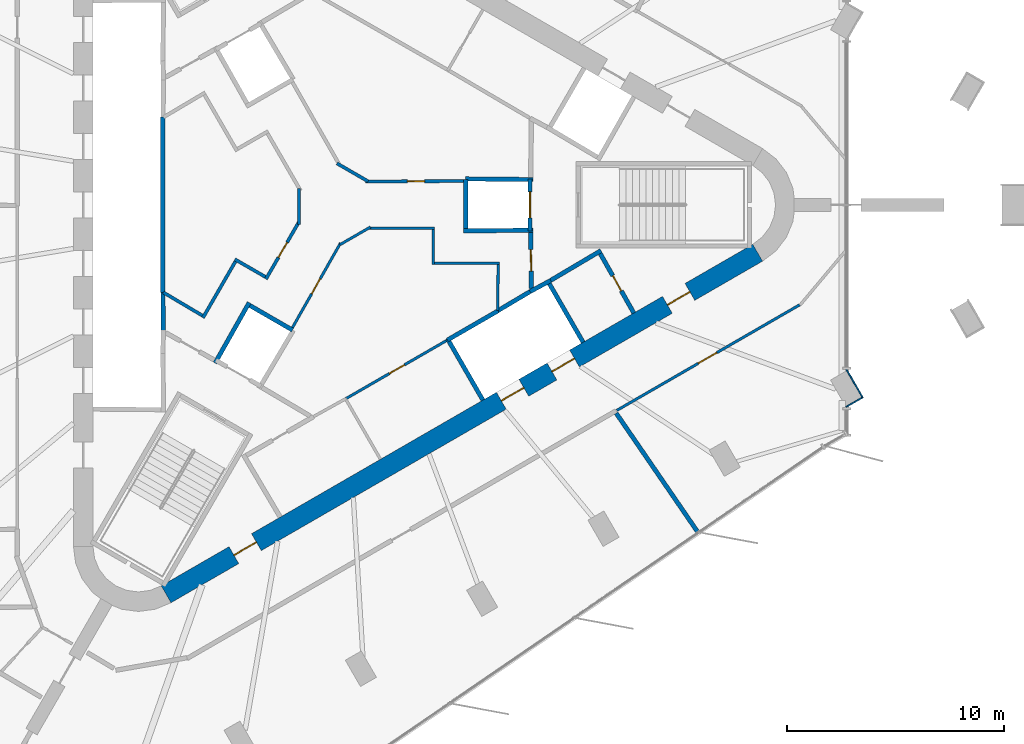
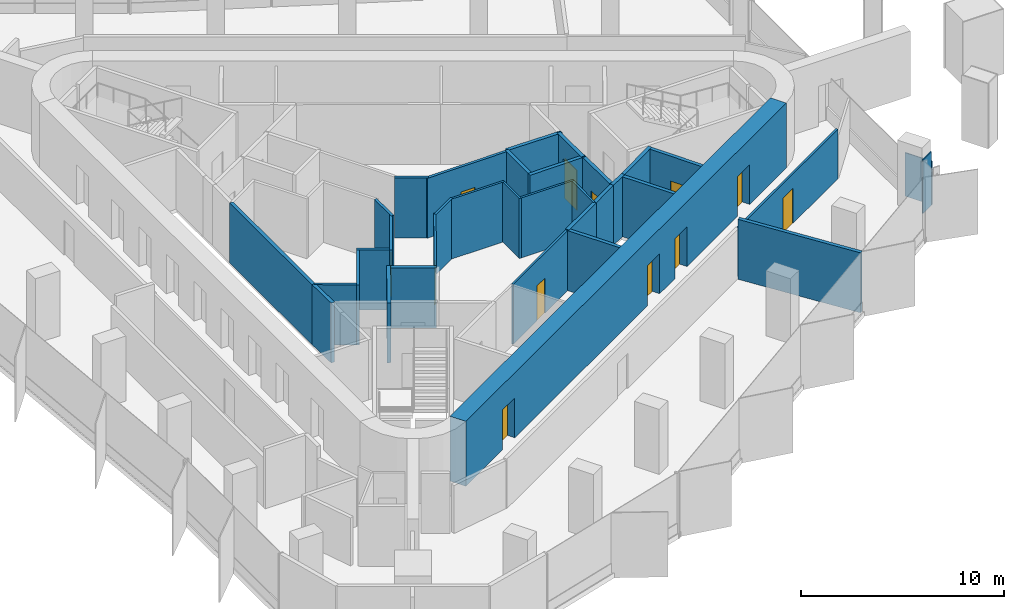
# One storey, part 8 of 12: 35 walls, 12 doors, 12 openings.
"""IFC4 building model written with IfcOpenShell, lengths in metres."""

from ifc_helpers import new_model, si_unit, direction, frame, frame_2d, origin, place, context, subcontext, project, spatial, rectangle, extrude, material, layer, layer_set, type_object, element, fill, save


model = new_model("IFC4")

# Units and contexts
model_context = context("Model", 3, precision=1e-05, world=origin(), true_north=direction((0.0, 1.0)))
body_context = subcontext(model_context, "Body", "Model", "MODEL_VIEW")
ifc_project = project(units=[si_unit("LENGTHUNIT", "METRE"), si_unit("AREAUNIT", "SQUARE_METRE"), si_unit("VOLUMEUNIT", "CUBIC_METRE"), si_unit("PLANEANGLEUNIT", "RADIAN"), si_unit("MASSUNIT", "GRAM", prefix="KILO")], contexts=[model_context])

# Site, building, storey
site_placement = place(None, origin())
site = spatial("IfcSite", under=ifc_project, at=site_placement, CompositionType="ELEMENT")
building_placement = place(site_placement, origin())
building = spatial("IfcBuilding", under=site, at=building_placement, Name="Tanit Gate Tower", CompositionType="ELEMENT")
storey_placement = place(building_placement, frame((0.0, 0.0, 368.89990234375)))
storey = spatial("IfcBuildingStorey", under=building, at=storey_placement, Name="L84", CompositionType="ELEMENT", Elevation=368.89990234375)

# Wall, openings, doors
ifc_material_1 = material(Name="Concrete C40/50", Category="concrete")
ifc_layer_1 = layer(ifc_material_1, 0.89990234375)
ifc_layer_set_1 = layer_set([ifc_layer_1], Name="CORE WALL 900 C40/50")
wall_type_1 = type_object("IfcWallType", Name="CORE WALL 900 C40/50", PredefinedType="SHEAR", material=ifc_layer_set_1)
wall_1_placement = place(storey_placement, frame((-7.824951171875, -17.969970703125, 0.0), z_axis=(0.0, 0.0, 1.0), x_axis=(0.866028369851, 0.499994862586, 0.0)))
wall_1 = element("IfcWall", 1, at=wall_1_placement, inside=storey, type_object=wall_type_1, Name="CORE WALL", PredefinedType="SHEAR", context=body_context, shape_type="SweptSolid", body=[
    extrude(rectangle(XDim=31.523193359375, YDim=0.89990234375, at=frame_2d((15.76171875, 0.0))), origin(), (0.0, 0.0, 1.0), 3.900146484375),
])
opening_1_placement = place(wall_1_placement, frame((17.861572265625, 0.0, 0.0)))
opening_1 = element("IfcOpeningElement", 2, at=opening_1_placement, cuts=wall_1, Name="Opening LDSV1-84", PredefinedType="OPENING", context=body_context, shape_type="SweptSolid", body=[
    extrude(rectangle(XDim=1.199951171875, YDim=2.39990234375, at=frame_2d((0.60009765625, 1.199951171875))), frame((0.0, 0.4599609375, 0.0), z_axis=(0.0, -1.0, 0.0), x_axis=(1.0, 0.0, 0.0)), (0.0, 0.0, 1.0), 0.919921875),
])
opening_2_placement = place(wall_1_placement, frame((20.561767578125, 0.0, 0.0)))
opening_2 = element("IfcOpeningElement", 3, at=opening_2_placement, cuts=wall_1, Name="Opening LDSV2-84", PredefinedType="OPENING", context=body_context, shape_type="SweptSolid", body=[
    extrude(rectangle(XDim=1.199951171875, YDim=2.39990234375, at=frame_2d((0.60009765625, 1.199951171875))), frame((0.0, 0.4599609375, 0.0), z_axis=(0.0, -1.0, 0.0), x_axis=(1.0, 0.0, 0.0)), (0.0, 0.0, 1.0), 0.919921875),
])
opening_3_placement = place(wall_1_placement, frame((26.711669921875, 0.0, 0.0)))
opening_3 = element("IfcOpeningElement", 4, at=opening_3_placement, cuts=wall_1, Name="Opening F12-84-S1", PredefinedType="OPENING", context=body_context, shape_type="SweptSolid", body=[
    extrude(rectangle(XDim=1.199951171875, YDim=2.39990234375, at=frame_2d((0.60009765625, 1.199951171875))), frame((0.0, 0.4599609375, 0.0), z_axis=(0.0, -1.0, 0.0), x_axis=(1.0, 0.0, 0.0)), (0.0, 0.0, 1.0), 0.919921875),
])
opening_4_placement = place(wall_1_placement, frame((3.611572265625, 0.0, 0.0)))
opening_4 = element("IfcOpeningElement", 5, at=opening_4_placement, cuts=wall_1, Name="Opening F12-84-FL3", PredefinedType="OPENING", context=body_context, shape_type="SweptSolid", body=[
    extrude(rectangle(XDim=1.199951171875, YDim=2.39990234375, at=frame_2d((0.60009765625, 1.199951171875))), frame((0.0, 0.4599609375, 0.0), z_axis=(0.0, -1.0, 0.0), x_axis=(1.0, 0.0, 0.0)), (0.0, 0.0, 1.0), 0.919921875),
])
ifc_material_2 = material(Name="Fire-rated steel door leaf", Category="steel")
door_type_1 = type_object("IfcDoorType", Name="INT-DOOR-FIRE-LOBBY-1200", OperationType="NOTDEFINED", PredefinedType="USERDEFINED", material=ifc_material_2)
door_1_placement = place(opening_3_placement, origin())
door_1 = element("IfcDoor", 6, at=door_1_placement, inside=storey, type_object=door_type_1, Name="Door F12-84-S1", ObjectType="FIRE DOOR", OperationType="SINGLE_SWING_LEFT", OverallHeight=2.39990234375, OverallWidth=1.199951171875, PredefinedType="USERDEFINED", context=body_context, shape_type="SweptSolid", body=[
    extrude(rectangle(XDim=1.199951171875, YDim=2.39990234375, at=frame_2d((0.60009765625, 1.199951171875))), frame((0.0, 0.02490234375, 0.0), z_axis=(0.0, -1.0, 0.0), x_axis=(1.0, 0.0, 0.0)), (0.0, 0.0, 1.0), 0.050048828125),
])
fill(opening_3, door_1)
door_2_placement = place(opening_4_placement, origin())
door_2 = element("IfcDoor", 7, at=door_2_placement, inside=storey, type_object=door_type_1, Name="Door F12-84-FL3", ObjectType="FIRE DOOR", OperationType="SINGLE_SWING_RIGHT", OverallHeight=2.39990234375, OverallWidth=1.199951171875, PredefinedType="USERDEFINED", context=body_context, shape_type="SweptSolid", body=[
    extrude(rectangle(XDim=1.199951171875, YDim=2.39990234375, at=frame_2d((0.60009765625, 1.199951171875))), frame((0.0, 0.02490234375, 0.0), z_axis=(0.0, -1.0, 0.0), x_axis=(1.0, 0.0, 0.0)), (0.0, 0.0, 1.0), 0.050048828125),
])
fill(opening_4, door_2)
ifc_material_3 = material(Name="Stainless steel sliding door leaf", Category="steel")
door_type_2 = type_object("IfcDoorType", Name="INT-DOOR-LANDING-1200", OperationType="NOTDEFINED", PredefinedType="USERDEFINED", material=ifc_material_3)
door_3_placement = place(opening_1_placement, origin())
door_3 = element("IfcDoor", 8, at=door_3_placement, inside=storey, type_object=door_type_2, Name="Door LDSV1-84", ObjectType="LANDING DOOR", OperationType="SLIDING_TO_LEFT", OverallHeight=2.39990234375, OverallWidth=1.199951171875, PredefinedType="USERDEFINED", context=body_context, shape_type="SweptSolid", body=[
    extrude(rectangle(XDim=1.199951171875, YDim=2.39990234375, at=frame_2d((0.60009765625, 1.199951171875))), frame((0.0, 0.02490234375, 0.0), z_axis=(0.0, -1.0, 0.0), x_axis=(1.0, 0.0, 0.0)), (0.0, 0.0, 1.0), 0.050048828125),
])
fill(opening_1, door_3)
door_4_placement = place(opening_2_placement, origin())
door_4 = element("IfcDoor", 9, at=door_4_placement, inside=storey, type_object=door_type_2, Name="Door LDSV2-84", ObjectType="LANDING DOOR", OperationType="SLIDING_TO_LEFT", OverallHeight=2.39990234375, OverallWidth=1.199951171875, PredefinedType="USERDEFINED", context=body_context, shape_type="SweptSolid", body=[
    extrude(rectangle(XDim=1.199951171875, YDim=2.39990234375, at=frame_2d((0.60009765625, 1.199951171875))), frame((0.0, 0.02490234375, 0.0), z_axis=(0.0, -1.0, 0.0), x_axis=(1.0, 0.0, 0.0)), (0.0, 0.0, 1.0), 0.050048828125),
])
fill(opening_2, door_4)

# Walls
ifc_material_4 = material(Name="Bronze anodised aluminium cladding", Category="aluminium")
ifc_layer_2 = layer(ifc_material_4, 0.06005859375)
ifc_layer_set_2 = layer_set([ifc_layer_2], Name="Column casing bronze 60")
wall_type_2 = type_object("IfcWallType", Name="Column casing bronze 60", PredefinedType="SOLIDWALL", material=ifc_layer_set_2)
wall_2_placement = place(storey_placement, frame((23.568603515625, -7.5927734375, 0.0), z_axis=(0.0, 0.0, 1.0), x_axis=(0.499991248344, -0.866030456496, 0.0)))
element("IfcWall", 10, at=wall_2_placement, inside=storey, type_object=wall_type_2, Name="Column casing L84 P-SE7.L1", PredefinedType="SOLIDWALL", context=body_context, shape_type="SweptSolid", body=[
    extrude(rectangle(XDim=1.52001953125, YDim=0.06005859375, at=frame_2d((0.760009765625, 0.0))), origin(), (0.0, 0.0, 1.0), 2.610107421875),
])
wall_3_placement = place(storey_placement, frame((23.551513671875, -9.3232421875, 0.0), z_axis=(0.0, 0.0, 1.0), x_axis=(0.866061263272, 0.499937884402, 0.0)))
element("IfcWall", 11, at=wall_3_placement, inside=storey, type_object=wall_type_2, Name="Column casing L84 P-SE7.S1", PredefinedType="SOLIDWALL", context=body_context, shape_type="SweptSolid", body=[
    extrude(rectangle(XDim=0.85009765625, YDim=0.06005859375, at=frame_2d((0.425048828125, 0.0))), origin(), (0.0, 0.0, 1.0), 3.210205078125),
])
ifc_material_5 = material(Name="Fire-rated gypsum board partition")
ifc_layer_3 = layer(ifc_material_5, 0.199951171875)
ifc_layer_set_3 = layer_set([ifc_layer_3], Name="INT-WALL-COMPARTMENT")
wall_type_3 = type_object("IfcWallType", Name="INT-WALL-COMPARTMENT", PredefinedType="PARTITIONING", material=ifc_layer_set_3)
wall_4_placement = place(storey_placement, frame((12.244873046875, -2.10888671875, 0.0), z_axis=(0.0, 0.0, 1.0), x_axis=(-0.860414880418, -0.509594185166, 0.0)))
element("IfcWall", 12, at=wall_4_placement, inside=storey, type_object=wall_type_3, Name="Wall Compartment W060", PredefinedType="PARTITIONING", context=body_context, shape_type="SweptSolid", body=[
    extrude(rectangle(XDim=2.7001953125, YDim=0.199951171875, at=frame_2d((1.35009765625, 0.0))), origin(), (0.0, 0.0, 1.0), 3.60009765625),
])

# Wall, opening, door
wall_5_placement = place(storey_placement, frame((13.758056640625, -4.989501953125, 0.0), z_axis=(0.0, 0.0, 1.0), x_axis=(-0.491993409184, 0.87059892334, 0.0)))
wall_5 = element("IfcWall", 13, at=wall_5_placement, inside=storey, type_object=wall_type_3, Name="Wall Compartment W061", PredefinedType="PARTITIONING", context=body_context, shape_type="SweptSolid", body=[
    extrude(rectangle(XDim=3.150146484375, YDim=0.199951171875, at=frame_2d((1.5751953125, 0.0))), origin(), (0.0, 0.0, 1.0), 3.60009765625),
])
opening_5_placement = place(wall_5_placement, frame((1.175048828125, 0.0, 0.0)))
opening_5 = element("IfcOpeningElement", 14, at=opening_5_placement, cuts=wall_5, Name="Opening R08-84-18", PredefinedType="OPENING", context=body_context, shape_type="SweptSolid", body=[
    extrude(rectangle(XDim=0.800048828125, YDim=2.10009765625, at=frame_2d((0.39990234375, 1.050048828125))), frame((0.0, 0.10986328125, 0.0), z_axis=(0.0, -1.0, 0.0), x_axis=(1.0, 0.0, 0.0)), (0.0, 0.0, 1.0), 0.219970703125),
])
ifc_material_6 = material(Name="Timber door leaf", Category="wood")
door_type_3 = type_object("IfcDoorType", Name="INT-DOOR-RISER-800", OperationType="NOTDEFINED", PredefinedType="USERDEFINED", material=ifc_material_6)
door_5_placement = place(opening_5_placement, origin())
door_5 = element("IfcDoor", 15, at=door_5_placement, inside=storey, type_object=door_type_3, Name="Door R08-84-18", ObjectType="FIRE DOOR", OperationType="SINGLE_SWING_LEFT", OverallHeight=2.10009765625, OverallWidth=0.800048828125, PredefinedType="USERDEFINED", context=body_context, shape_type="SweptSolid", body=[
    extrude(rectangle(XDim=0.800048828125, YDim=2.10009765625, at=frame_2d((0.39990234375, 1.050048828125))), frame((0.0, 0.02490234375, 0.0), z_axis=(0.0, -1.0, 0.0), x_axis=(1.0, 0.0, 0.0)), (0.0, 0.0, 1.0), 0.050048828125),
])
fill(opening_5, door_5)

wall_6_placement = place(storey_placement, frame((9.02880859375, -3.850830078125, 0.0), z_axis=(0.0, 0.0, 1.0), x_axis=(-0.010783593937, 0.99994185536, 0.0)))
wall_6 = element("IfcWall", 16, at=wall_6_placement, inside=storey, type_object=wall_type_3, Name="Wall Compartment W063", PredefinedType="PARTITIONING", context=body_context, shape_type="SweptSolid", body=[
    extrude(rectangle(XDim=2.5810546875, YDim=0.199951171875, at=frame_2d((1.29052734375, 0.0))), origin(), (0.0, 0.0, 1.0), 3.60009765625),
])
opening_6_placement = place(wall_6_placement, frame((0.79052734375, 0.0, 0.0)))
opening_6 = element("IfcOpeningElement", 17, at=opening_6_placement, cuts=wall_6, Name="Opening F10-84-02", PredefinedType="OPENING", context=body_context, shape_type="SweptSolid", body=[
    extrude(rectangle(XDim=1.0, YDim=2.10009765625, at=frame_2d((0.5, 1.050048828125))), frame((0.0, 0.10986328125, 0.0), z_axis=(0.0, -1.0, 0.0), x_axis=(1.0, 0.0, 0.0)), (0.0, 0.0, 1.0), 0.219970703125),
])
ifc_material_7 = material(Name="Fire-rated steel door leaf", Category="steel")
door_type_4 = type_object("IfcDoorType", Name="INT-DOOR-FIRE-1000", OperationType="NOTDEFINED", PredefinedType="USERDEFINED", material=ifc_material_7)
door_6_placement = place(opening_6_placement, origin())
door_6 = element("IfcDoor", 18, at=door_6_placement, inside=storey, type_object=door_type_4, Name="Door F10-84-02", ObjectType="FIRE DOOR", OperationType="SINGLE_SWING_RIGHT", OverallHeight=2.10009765625, OverallWidth=1.0, PredefinedType="USERDEFINED", context=body_context, shape_type="SweptSolid", body=[
    extrude(rectangle(XDim=1.0, YDim=2.10009765625, at=frame_2d((0.5, 1.050048828125))), frame((0.0, 0.02490234375, 0.0), z_axis=(0.0, -1.0, 0.0), x_axis=(1.0, 0.0, 0.0)), (0.0, 0.0, 1.0), 0.050048828125),
])
fill(opening_6, door_6)

# Wall
wall_7_placement = place(storey_placement, frame((16.726318359375, -15.122802734375, 0.0), z_axis=(0.0, 0.0, 1.0), x_axis=(-0.565749931425, 0.824576870336, 0.0)))
element("IfcWall", 19, at=wall_7_placement, inside=storey, type_object=wall_type_3, Name="Wall Compartment W118", PredefinedType="PARTITIONING", context=body_context, shape_type="SweptSolid", body=[
    extrude(rectangle(XDim=6.68017578125, YDim=0.199951171875, at=frame_2d((3.340087890625, 0.0))), origin(), (0.0, 0.0, 1.0), 3.60009765625),
])

# Wall, opening, door
ifc_material_8 = material(Name="Gypsum board partition")
ifc_layer_4 = layer(ifc_material_8, 0.1201171875)
ifc_layer_set_4 = layer_set([ifc_layer_4], Name="INT-WALL-PARTITION")
wall_type_4 = type_object("IfcWallType", Name="INT-WALL-PARTITION", PredefinedType="PARTITIONING", material=ifc_layer_set_4)
wall_8_placement = place(storey_placement, frame((0.482666015625, -8.935791015625, 0.0), z_axis=(0.0, 0.0, 1.0), x_axis=(0.866028230842, 0.499995103361, 0.0)))
wall_8 = element("IfcWall", 20, at=wall_8_placement, inside=storey, type_object=wall_type_4, Name="Wall Partition W059", PredefinedType="PARTITIONING", context=body_context, shape_type="SweptSolid", body=[
    extrude(rectangle(XDim=5.39990234375, YDim=0.1201171875, at=frame_2d((2.699951171875, 0.0))), origin(), (0.0, 0.0, 1.0), 3.60009765625),
])
opening_7_placement = place(wall_8_placement, frame((2.300048828125, 0.0, 0.0)))
opening_7 = element("IfcOpeningElement", 21, at=opening_7_placement, cuts=wall_8, Name="Opening R08-84-17", PredefinedType="OPENING", context=body_context, shape_type="SweptSolid", body=[
    extrude(rectangle(XDim=0.800048828125, YDim=2.10009765625, at=frame_2d((0.39990234375, 1.050048828125))), frame((0.0, 0.070068359375, 0.0), z_axis=(0.0, -1.0, 0.0), x_axis=(1.0, 0.0, 0.0)), (0.0, 0.0, 1.0), 0.14013671875),
])
door_7_placement = place(opening_7_placement, origin())
door_7 = element("IfcDoor", 22, at=door_7_placement, inside=storey, type_object=door_type_3, Name="Door R08-84-17", ObjectType="FIRE DOOR", OperationType="SINGLE_SWING_LEFT", OverallHeight=2.10009765625, OverallWidth=0.800048828125, PredefinedType="USERDEFINED", context=body_context, shape_type="SweptSolid", body=[
    extrude(rectangle(XDim=0.800048828125, YDim=2.10009765625, at=frame_2d((0.39990234375, 1.050048828125))), frame((0.0, 0.02490234375, 0.0), z_axis=(0.0, -1.0, 0.0), x_axis=(1.0, 0.0, 0.0)), (0.0, 0.0, 1.0), 0.050048828125),
])
fill(opening_7, door_7)

wall_9_placement = place(storey_placement, frame((0.223876953125, -1.760986328125, 0.0), z_axis=(0.0, 0.0, 1.0), x_axis=(-0.494327216836, -0.869275907118, 0.0)))
wall_9 = element("IfcWall", 23, at=wall_9_placement, inside=storey, type_object=wall_type_4, Name="Wall Partition W071", PredefinedType="PARTITIONING", context=body_context, shape_type="SweptSolid", body=[
    extrude(rectangle(XDim=4.487060546875, YDim=0.1201171875, at=frame_2d((2.24365234375, 0.0))), origin(), (0.0, 0.0, 1.0), 3.60009765625),
])
opening_8_placement = place(wall_9_placement, frame((1.89453125, 0.0, 0.0)))
opening_8 = element("IfcOpeningElement", 24, at=opening_8_placement, cuts=wall_9, Name="Opening R08-84-11", PredefinedType="OPENING", context=body_context, shape_type="SweptSolid", body=[
    extrude(rectangle(XDim=0.800048828125, YDim=2.10009765625, at=frame_2d((0.39990234375, 1.050048828125))), frame((0.0, 0.070068359375, 0.0), z_axis=(0.0, -1.0, 0.0), x_axis=(1.0, 0.0, 0.0)), (0.0, 0.0, 1.0), 0.14013671875),
])
door_8_placement = place(opening_8_placement, origin())
door_8 = element("IfcDoor", 25, at=door_8_placement, inside=storey, type_object=door_type_3, Name="Door R08-84-11", ObjectType="FIRE DOOR", OperationType="SINGLE_SWING_RIGHT", OverallHeight=2.10009765625, OverallWidth=0.800048828125, PredefinedType="USERDEFINED", context=body_context, shape_type="SweptSolid", body=[
    extrude(rectangle(XDim=0.800048828125, YDim=2.10009765625, at=frame_2d((0.39990234375, 1.050048828125))), frame((0.0, 0.02490234375, 0.0), z_axis=(0.0, -1.0, 0.0), x_axis=(1.0, 0.0, 0.0)), (0.0, 0.0, 1.0), 0.050048828125),
])
fill(opening_8, door_8)

# Walls
wall_10_placement = place(storey_placement, frame((1.60546875, -1.02294921875, 0.0), z_axis=(0.0, 0.0, 1.0), x_axis=(-0.866001581989, -0.50004125829, 0.0)))
element("IfcWall", 26, at=wall_10_placement, inside=storey, type_object=wall_type_4, Name="Wall Partition W072", PredefinedType="PARTITIONING", context=body_context, shape_type="SweptSolid", body=[
    extrude(rectangle(XDim=1.635009765625, YDim=0.1201171875, at=frame_2d((0.8173828125, 0.0))), origin(), (0.0, 0.0, 1.0), 3.60009765625),
])
wall_11_placement = place(storey_placement, frame((4.56005859375, -1.074951171875, 0.0), z_axis=(0.0, 0.0, 1.0), x_axis=(-1.0, 0.0, 0.0)))
element("IfcWall", 27, at=wall_11_placement, inside=storey, type_object=wall_type_4, Name="Wall Partition W073", PredefinedType="PARTITIONING", context=body_context, shape_type="SweptSolid", body=[
    extrude(rectangle(XDim=3.02587890625, YDim=0.1201171875, at=frame_2d((1.512939453125, 0.0))), origin(), (0.0, 0.0, 1.0), 3.60009765625),
])
wall_12_placement = place(storey_placement, frame((4.5, -2.760009765625, 0.0), z_axis=(0.0, 0.0, 1.0), x_axis=(0.0, 1.0, 0.0)))
element("IfcWall", 28, at=wall_12_placement, inside=storey, type_object=wall_type_4, Name="Wall Partition W074", PredefinedType="PARTITIONING", context=body_context, shape_type="SweptSolid", body=[
    extrude(rectangle(XDim=1.625, YDim=0.1201171875, at=frame_2d((0.8125, 0.0))), origin(), (0.0, 0.0, 1.0), 3.60009765625),
])
wall_13_placement = place(storey_placement, frame((7.56005859375, -2.699951171875, 0.0), z_axis=(0.0, 0.0, 1.0), x_axis=(-1.0, 0.0, 0.0)))
element("IfcWall", 29, at=wall_13_placement, inside=storey, type_object=wall_type_4, Name="Wall Partition W075", PredefinedType="PARTITIONING", context=body_context, shape_type="SweptSolid", body=[
    extrude(rectangle(XDim=3.0, YDim=0.1201171875, at=frame_2d((1.5, 0.0))), origin(), (0.0, 0.0, 1.0), 3.60009765625),
])
wall_14_placement = place(storey_placement, frame((7.474609375, -4.864501953125, 0.0), z_axis=(0.0, 0.0, 1.0), x_axis=(0.011716133148, 0.999931363757, 0.0)))
element("IfcWall", 30, at=wall_14_placement, inside=storey, type_object=wall_type_4, Name="Wall Partition W076", PredefinedType="PARTITIONING", context=body_context, shape_type="SweptSolid", body=[
    extrude(rectangle(XDim=2.104736328125, YDim=0.1201171875, at=frame_2d((1.05224609375, 0.0))), origin(), (0.0, 0.0, 1.0), 3.60009765625),
])

# Wall, opening, door
wall_15_placement = place(storey_placement, frame((12.97705078125, -9.481689453125, 0.0), z_axis=(0.0, 0.0, 1.0), x_axis=(0.866030756363, 0.499990728947, 0.0)))
wall_15 = element("IfcWall", 31, at=wall_15_placement, inside=storey, type_object=wall_type_4, Name="Wall Partition W117", PredefinedType="PARTITIONING", context=body_context, shape_type="SweptSolid", body=[
    extrude(rectangle(XDim=9.741943359375, YDim=0.1201171875, at=frame_2d((4.87109375, 0.0))), origin(), (0.0, 0.0, 1.0), 2.97021484375),
])
opening_9_placement = place(wall_15_placement, frame((4.33203125, 0.0, 0.0)))
opening_9 = element("IfcOpeningElement", 32, at=opening_9_placement, cuts=wall_15, Name="Opening D10-84-25", PredefinedType="OPENING", context=body_context, shape_type="SweptSolid", body=[
    extrude(rectangle(XDim=1.0, YDim=2.10009765625, at=frame_2d((0.5, 1.050048828125))), frame((0.0, 0.070068359375, 0.0), z_axis=(0.0, -1.0, 0.0), x_axis=(1.0, 0.0, 0.0)), (0.0, 0.0, 1.0), 0.14013671875),
])
ifc_material_9 = material(Name="Timber door leaf", Category="wood")
door_type_5 = type_object("IfcDoorType", Name="INT-DOOR-SINGLE-1000", OperationType="NOTDEFINED", PredefinedType="NOTDEFINED", material=ifc_material_9)
door_9_placement = place(opening_9_placement, origin())
door_9 = element("IfcDoor", 33, at=door_9_placement, inside=storey, type_object=door_type_5, Name="Door D10-84-25", OperationType="SINGLE_SWING_LEFT", OverallHeight=2.10009765625, OverallWidth=1.0, PredefinedType="NOTDEFINED", context=body_context, shape_type="SweptSolid", body=[
    extrude(rectangle(XDim=1.0, YDim=2.10009765625, at=frame_2d((0.5, 1.050048828125))), frame((0.0, 0.02490234375, 0.0), z_axis=(0.0, -1.0, 0.0), x_axis=(1.0, 0.0, 0.0)), (0.0, 0.0, 1.0), 0.050048828125),
])
fill(opening_9, door_9)

ifc_material_10 = material(Name="Fire-rated gypsum board partition")
ifc_layer_5 = layer(ifc_material_10, 0.14990234375)
ifc_layer_set_5 = layer_set([ifc_layer_5], Name="INT-WALL-RISER")
wall_type_5 = type_object("IfcWallType", Name="INT-WALL-RISER", PredefinedType="PLUMBINGWALL", material=ifc_layer_set_5)
wall_16_placement = place(storey_placement, frame((1.3876953125, 1.07421875, 0.0), z_axis=(0.0, 0.0, 1.0), x_axis=(0.99997856967, 0.006546770205, 0.0)))
wall_16 = element("IfcWall", 34, at=wall_16_placement, inside=storey, type_object=wall_type_5, Name="Wall Riser W068", PredefinedType="PLUMBINGWALL", context=body_context, shape_type="SweptSolid", body=[
    extrude(rectangle(XDim=4.51220703125, YDim=0.14990234375, at=frame_2d((2.256103515625, 0.0))), origin(), (0.0, 0.0, 1.0), 3.60009765625),
])
opening_10_placement = place(wall_16_placement, frame((1.920166015625, 0.0, 0.0)))
opening_10 = element("IfcOpeningElement", 35, at=opening_10_placement, cuts=wall_16, Name="Opening R08-84-10", PredefinedType="OPENING", context=body_context, shape_type="SweptSolid", body=[
    extrude(rectangle(XDim=0.800048828125, YDim=2.10009765625, at=frame_2d((0.39990234375, 1.050048828125))), frame((0.0, 0.0849609375, 0.0), z_axis=(0.0, -1.0, 0.0), x_axis=(1.0, 0.0, 0.0)), (0.0, 0.0, 1.0), 0.169921875),
])
door_10_placement = place(opening_10_placement, origin())
door_10 = element("IfcDoor", 36, at=door_10_placement, inside=storey, type_object=door_type_3, Name="Door R08-84-10", ObjectType="FIRE DOOR", OperationType="SINGLE_SWING_RIGHT", OverallHeight=2.10009765625, OverallWidth=0.800048828125, PredefinedType="USERDEFINED", context=body_context, shape_type="SweptSolid", body=[
    extrude(rectangle(XDim=0.800048828125, YDim=2.10009765625, at=frame_2d((0.39990234375, 1.050048828125))), frame((0.0, 0.02490234375, 0.0), z_axis=(0.0, -1.0, 0.0), x_axis=(1.0, 0.0, 0.0)), (0.0, 0.0, 1.0), 0.050048828125),
])
fill(opening_10, door_10)

# Walls
wall_17_placement = place(storey_placement, frame((0.0625, 1.9140625, 0.0), z_axis=(0.0, 0.0, 1.0), x_axis=(0.866018462269, -0.500012022864, 0.0)))
element("IfcWall", 37, at=wall_17_placement, inside=storey, type_object=wall_type_5, Name="Wall Riser W069", PredefinedType="PLUMBINGWALL", context=body_context, shape_type="SweptSolid", body=[
    extrude(rectangle(XDim=1.654296875, YDim=0.14990234375, at=frame_2d((0.8271484375, 0.0))), origin(), (0.0, 0.0, 1.0), 3.60009765625),
])
wall_18_placement = place(storey_placement, frame((-1.688720703125, -0.90478515625, 0.0), z_axis=(0.0, 0.0, 1.0), x_axis=(0.0, 1.0, 0.0)))
element("IfcWall", 38, at=wall_18_placement, inside=storey, type_object=wall_type_5, Name="Wall Riser W081", PredefinedType="PLUMBINGWALL", context=body_context, shape_type="SweptSolid", body=[
    extrude(rectangle(XDim=1.656494140625, YDim=0.14990234375, at=frame_2d((0.828125, 0.0))), origin(), (0.0, 0.0, 1.0), 3.60009765625),
])

# Wall, opening, door
wall_19_placement = place(storey_placement, frame((-3.218505859375, -3.424560546875, 0.0), z_axis=(0.0, 0.0, 1.0), x_axis=(0.499996236806, 0.866027576455, 0.0)))
wall_19 = element("IfcWall", 39, at=wall_19_placement, inside=storey, type_object=wall_type_5, Name="Wall Riser W082", PredefinedType="PLUMBINGWALL", context=body_context, shape_type="SweptSolid", body=[
    extrude(rectangle(XDim=3.0361328125, YDim=0.14990234375, at=frame_2d((1.51806640625, 0.0))), origin(), (0.0, 0.0, 1.0), 3.60009765625),
])
opening_11_placement = place(wall_19_placement, frame((1.155517578125, 0.0, 0.0)))
opening_11 = element("IfcOpeningElement", 40, at=opening_11_placement, cuts=wall_19, Name="Opening R08-84-12", PredefinedType="OPENING", context=body_context, shape_type="SweptSolid", body=[
    extrude(rectangle(XDim=0.800048828125, YDim=2.10009765625, at=frame_2d((0.39990234375, 1.050048828125))), frame((0.0, 0.0849609375, 0.0), z_axis=(0.0, -1.0, 0.0), x_axis=(1.0, 0.0, 0.0)), (0.0, 0.0, 1.0), 0.169921875),
])
door_11_placement = place(opening_11_placement, origin())
door_11 = element("IfcDoor", 41, at=door_11_placement, inside=storey, type_object=door_type_3, Name="Door R08-84-12", ObjectType="FIRE DOOR", OperationType="SINGLE_SWING_LEFT", OverallHeight=2.10009765625, OverallWidth=0.800048828125, PredefinedType="USERDEFINED", context=body_context, shape_type="SweptSolid", body=[
    extrude(rectangle(XDim=0.800048828125, YDim=2.10009765625, at=frame_2d((0.39990234375, 1.050048828125))), frame((0.0, 0.02490234375, 0.0), z_axis=(0.0, -1.0, 0.0), x_axis=(1.0, 0.0, 0.0)), (0.0, 0.0, 1.0), 0.050048828125),
])
fill(opening_11, door_11)

# Walls
wall_20_placement = place(storey_placement, frame((-4.6533203125, -2.509521484375, 0.0), z_axis=(0.0, 0.0, 1.0), x_axis=(0.866053003207, -0.499952193351, 0.0)))
element("IfcWall", 42, at=wall_20_placement, inside=storey, type_object=wall_type_5, Name="Wall Riser W083", PredefinedType="PLUMBINGWALL", context=body_context, shape_type="SweptSolid", body=[
    extrude(rectangle(XDim=1.625244140625, YDim=0.14990234375, at=frame_2d((0.8125, 0.0))), origin(), (0.0, 0.0, 1.0), 3.60009765625),
])
wall_21_placement = place(storey_placement, frame((-6.125732421875, -5.210205078125, 0.0), z_axis=(0.0, 0.0, 1.0), x_axis=(0.499990139034, 0.866031096941, 0.0)))
element("IfcWall", 43, at=wall_21_placement, inside=storey, type_object=wall_type_5, Name="Wall Riser W084", PredefinedType="PLUMBINGWALL", context=body_context, shape_type="SweptSolid", body=[
    extrude(rectangle(XDim=3.0, YDim=0.14990234375, at=frame_2d((1.5, 0.0))), origin(), (0.0, 0.0, 1.0), 3.60009765625),
])
wall_22_placement = place(storey_placement, frame((-7.949951171875, -4.041015625, 0.0), z_axis=(0.0, 0.0, 1.0), x_axis=(0.860090281069, -0.510141851263, 0.0)))
element("IfcWall", 44, at=wall_22_placement, inside=storey, type_object=wall_type_5, Name="Wall Riser W085", PredefinedType="PLUMBINGWALL", context=body_context, shape_type="SweptSolid", body=[
    extrude(rectangle(XDim=2.08935546875, YDim=0.14990234375, at=frame_2d((1.044677734375, 0.0))), origin(), (0.0, 0.0, 1.0), 3.60009765625),
])
ifc_material_11 = material(Name="Gypsum shaft wall system")
ifc_layer_6 = layer(ifc_material_11, 0.199951171875)
ifc_layer_set_6 = layer_set([ifc_layer_6], Name="INT-WALL-SHAFT")
wall_type_6 = type_object("IfcWallType", Name="INT-WALL-SHAFT", PredefinedType="PLUMBINGWALL", material=ifc_layer_set_6)
wall_23_placement = place(storey_placement, frame((-7.97998046875, 4.050048828125, 0.0), z_axis=(0.0, 0.0, 1.0), x_axis=(0.0, -1.0, 0.0)))
element("IfcWall", 45, at=wall_23_placement, inside=storey, type_object=wall_type_6, Name="Wall Shaft W005", PredefinedType="PLUMBINGWALL", context=body_context, shape_type="SweptSolid", body=[
    extrude(rectangle(XDim=8.10009765625, YDim=0.199951171875, at=frame_2d((4.050048828125, 0.0))), origin(), (0.0, 0.0, 1.0), 3.60009765625),
])
wall_24_placement = place(storey_placement, frame((-7.971435546875, -4.050048828125, 0.0), z_axis=(0.0, 0.0, 1.0), x_axis=(0.012042535896, -0.999927486035, 0.0)))
element("IfcWall", 46, at=wall_24_placement, inside=storey, type_object=wall_type_6, Name="Wall Shaft W009", PredefinedType="PLUMBINGWALL", context=body_context, shape_type="SweptSolid", body=[
    extrude(rectangle(XDim=1.844970703125, YDim=0.199951171875, at=frame_2d((0.92236328125, 0.0))), origin(), (0.0, 0.0, 1.0), 3.60009765625),
])
wall_25_placement = place(storey_placement, frame((6.795166015625, -9.009521484375, 0.0), z_axis=(0.0, 0.0, 1.0), x_axis=(-0.499984717929, 0.866034226713, 0.0)))
element("IfcWall", 47, at=wall_25_placement, inside=storey, type_object=wall_type_6, Name="Wall Shaft W015", PredefinedType="PLUMBINGWALL", context=body_context, shape_type="SweptSolid", body=[
    extrude(rectangle(XDim=3.25, YDim=0.199951171875, at=frame_2d((1.625, 0.0))), origin(), (0.0, 0.0, 1.0), 3.60009765625),
])
wall_26_placement = place(storey_placement, frame((5.1591796875, -6.23583984375, 0.0), z_axis=(0.0, 0.0, 1.0), x_axis=(0.866036505625, 0.499980770555, 0.0)))
element("IfcWall", 48, at=wall_26_placement, inside=storey, type_object=wall_type_6, Name="Wall Shaft W016", PredefinedType="PLUMBINGWALL", context=body_context, shape_type="SweptSolid", body=[
    extrude(rectangle(XDim=2.69970703125, YDim=0.199951171875, at=frame_2d((1.349853515625, 0.0))), origin(), (0.0, 0.0, 1.0), 3.60009765625),
])
wall_27_placement = place(storey_placement, frame((9.794677734375, -3.52490234375, 0.0), z_axis=(0.0, 0.0, 1.0), x_axis=(0.499984717929, -0.866034226713, 0.0)))
element("IfcWall", 49, at=wall_27_placement, inside=storey, type_object=wall_type_6, Name="Wall Shaft W017", PredefinedType="PLUMBINGWALL", context=body_context, shape_type="SweptSolid", body=[
    extrude(rectangle(XDim=3.25, YDim=0.199951171875, at=frame_2d((1.625, 0.0))), origin(), (0.0, 0.0, 1.0), 3.60009765625),
])
wall_28_placement = place(storey_placement, frame((8.97412109375, -3.998779296875, 0.0), z_axis=(0.0, 0.0, 1.0), x_axis=(0.880907015104, 0.473289373154, 0.0)))
element("IfcWall", 50, at=wall_28_placement, inside=storey, type_object=wall_type_6, Name="Wall Shaft W018", PredefinedType="PLUMBINGWALL", context=body_context, shape_type="SweptSolid", body=[
    extrude(rectangle(XDim=1.078125, YDim=0.199951171875, at=frame_2d((0.5390625, 0.0))), origin(), (0.0, 0.0, 1.0), 3.60009765625),
])
wall_29_placement = place(storey_placement, frame((7.4931640625, -4.87841796875, 0.0), z_axis=(0.0, 0.0, 1.0), x_axis=(0.859981807212, 0.510324691999, 0.0)))
element("IfcWall", 51, at=wall_29_placement, inside=storey, type_object=wall_type_6, Name="Wall Shaft W019", PredefinedType="PLUMBINGWALL", context=body_context, shape_type="SweptSolid", body=[
    extrude(rectangle(XDim=1.8447265625, YDim=0.199951171875, at=frame_2d((0.92236328125, 0.0))), origin(), (0.0, 0.0, 1.0), 3.60009765625),
])

# Wall, opening, door
wall_30_placement = place(storey_placement, frame((8.969970703125, 1.199951171875, 0.0), z_axis=(0.0, 0.0, 1.0), x_axis=(0.0, -1.0, 0.0)))
wall_30 = element("IfcWall", 52, at=wall_30_placement, inside=storey, type_object=wall_type_6, Name="Wall Shaft W025", PredefinedType="PLUMBINGWALL", context=body_context, shape_type="SweptSolid", body=[
    extrude(rectangle(XDim=2.39990234375, YDim=0.199951171875, at=frame_2d((1.199951171875, 0.0))), origin(), (0.0, 0.0, 1.0), 3.60009765625),
])
opening_12_placement = place(wall_30_placement, frame((0.60009765625, 0.0, 0.0)))
opening_12 = element("IfcOpeningElement", 53, at=opening_12_placement, cuts=wall_30, Name="Opening LDFL1-L84", PredefinedType="OPENING", context=body_context, shape_type="SweptSolid", body=[
    extrude(rectangle(XDim=1.199951171875, YDim=2.39990234375, at=frame_2d((0.60009765625, 1.199951171875))), frame((0.0, 0.10986328125, 0.0), z_axis=(0.0, -1.0, 0.0), x_axis=(1.0, 0.0, 0.0)), (0.0, 0.0, 1.0), 0.219970703125),
])
door_12_placement = place(opening_12_placement, origin())
door_12 = element("IfcDoor", 54, at=door_12_placement, inside=storey, type_object=door_type_2, Name="Door LDFL1-L84", ObjectType="LANDING DOOR", OperationType="SLIDING_TO_LEFT", OverallHeight=2.39990234375, OverallWidth=1.199951171875, PredefinedType="USERDEFINED", context=body_context, shape_type="SweptSolid", body=[
    extrude(rectangle(XDim=1.199951171875, YDim=2.39990234375, at=frame_2d((0.60009765625, 1.199951171875))), frame((0.0, 0.02490234375, 0.0), z_axis=(0.0, -1.0, 0.0), x_axis=(1.0, 0.0, 0.0)), (0.0, 0.0, 1.0), 0.050048828125),
])
fill(opening_12, door_12)

# Walls
wall_31_placement = place(storey_placement, frame((6.0, 1.199951171875, 0.0), z_axis=(0.0, 0.0, 1.0), x_axis=(0.999949988, -0.010001074852, 0.0)))
element("IfcWall", 55, at=wall_31_placement, inside=storey, type_object=wall_type_6, Name="Wall Shaft W026", PredefinedType="PLUMBINGWALL", context=body_context, shape_type="SweptSolid", body=[
    extrude(rectangle(XDim=3.100341796875, YDim=0.199951171875, at=frame_2d((1.55029296875, 0.0))), origin(), (0.0, 0.0, 1.0), 3.60009765625),
])
wall_32_placement = place(storey_placement, frame((5.89990234375, -1.200927734375, 0.0), z_axis=(0.0, 0.0, 1.0), x_axis=(0.999950064753, 0.009993397809, 0.0)))
element("IfcWall", 56, at=wall_32_placement, inside=storey, type_object=wall_type_6, Name="Wall Shaft W027", PredefinedType="PLUMBINGWALL", context=body_context, shape_type="SweptSolid", body=[
    extrude(rectangle(XDim=3.200439453125, YDim=0.199951171875, at=frame_2d((1.60009765625, 0.0))), origin(), (0.0, 0.0, 1.0), 3.60009765625),
])
wall_33_placement = place(storey_placement, frame((6.0, -1.10009765625, 0.0), z_axis=(0.0, 0.0, 1.0), x_axis=(0.0, 1.0, 0.0)))
element("IfcWall", 57, at=wall_33_placement, inside=storey, type_object=wall_type_6, Name="Wall Shaft W028", PredefinedType="PLUMBINGWALL", context=body_context, shape_type="SweptSolid", body=[
    extrude(rectangle(XDim=2.279541015625, YDim=0.199951171875, at=frame_2d((1.1396484375, 0.0))), origin(), (0.0, 0.0, 1.0), 3.60009765625),
])
wall_34_placement = place(storey_placement, frame((-3.989990234375, -4.509033203125, 0.0), z_axis=(0.0, 0.0, 1.0), x_axis=(-0.491358283181, -0.870957540612, 0.0)))
element("IfcWall", 58, at=wall_34_placement, inside=storey, type_object=wall_type_6, Name="Wall Shaft W045", PredefinedType="PLUMBINGWALL", context=body_context, shape_type="SweptSolid", body=[
    extrude(rectangle(XDim=3.200439453125, YDim=0.199951171875, at=frame_2d((1.60009765625, 0.0))), origin(), (0.0, 0.0, 1.0), 3.60009765625),
])
wall_35_placement = place(storey_placement, frame((-3.95263671875, -4.646240234375, 0.0), z_axis=(0.0, 0.0, 1.0), x_axis=(0.866065302921, -0.4999308863, 0.0)))
element("IfcWall", 59, at=wall_35_placement, inside=storey, type_object=wall_type_6, Name="Wall Shaft W046", PredefinedType="PLUMBINGWALL", context=body_context, shape_type="SweptSolid", body=[
    extrude(rectangle(XDim=2.264404296875, YDim=0.199951171875, at=frame_2d((1.13232421875, 0.0))), origin(), (0.0, 0.0, 1.0), 3.60009765625),
])

save(model, "model.ifc")
